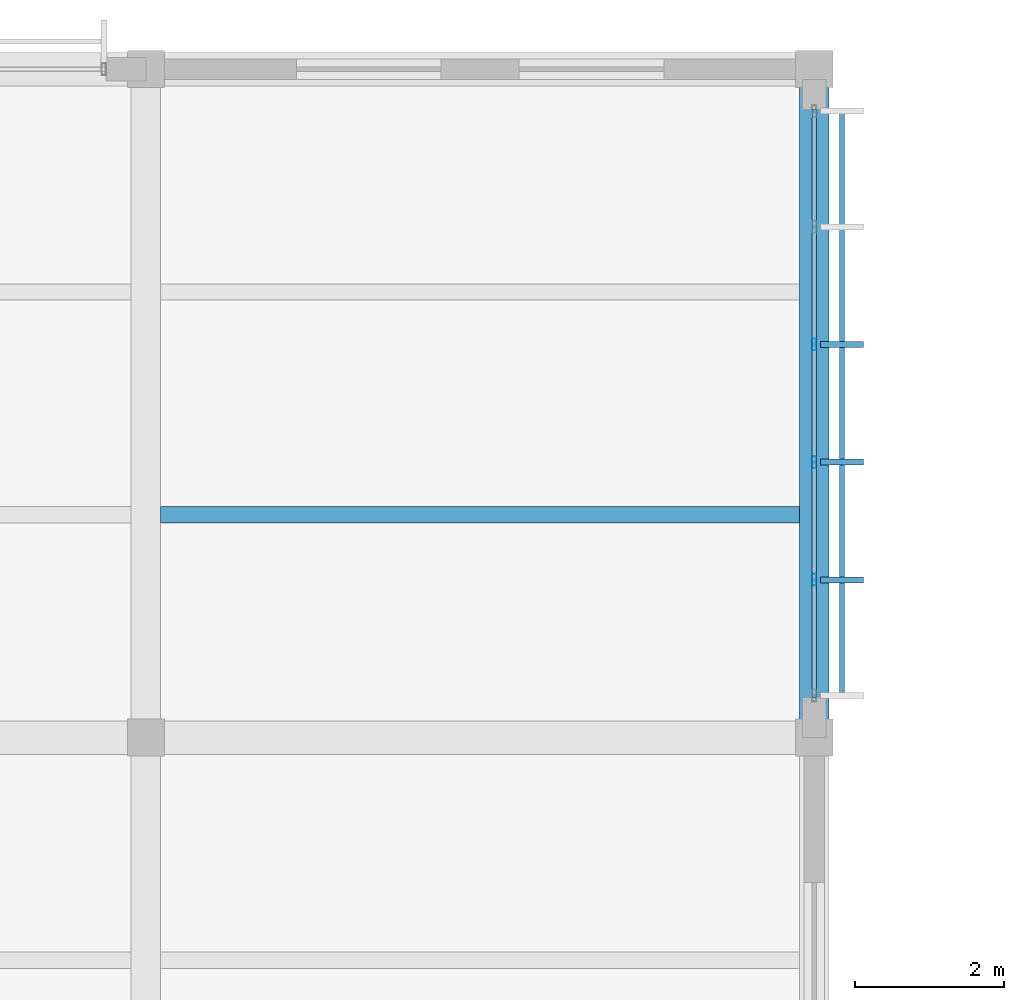
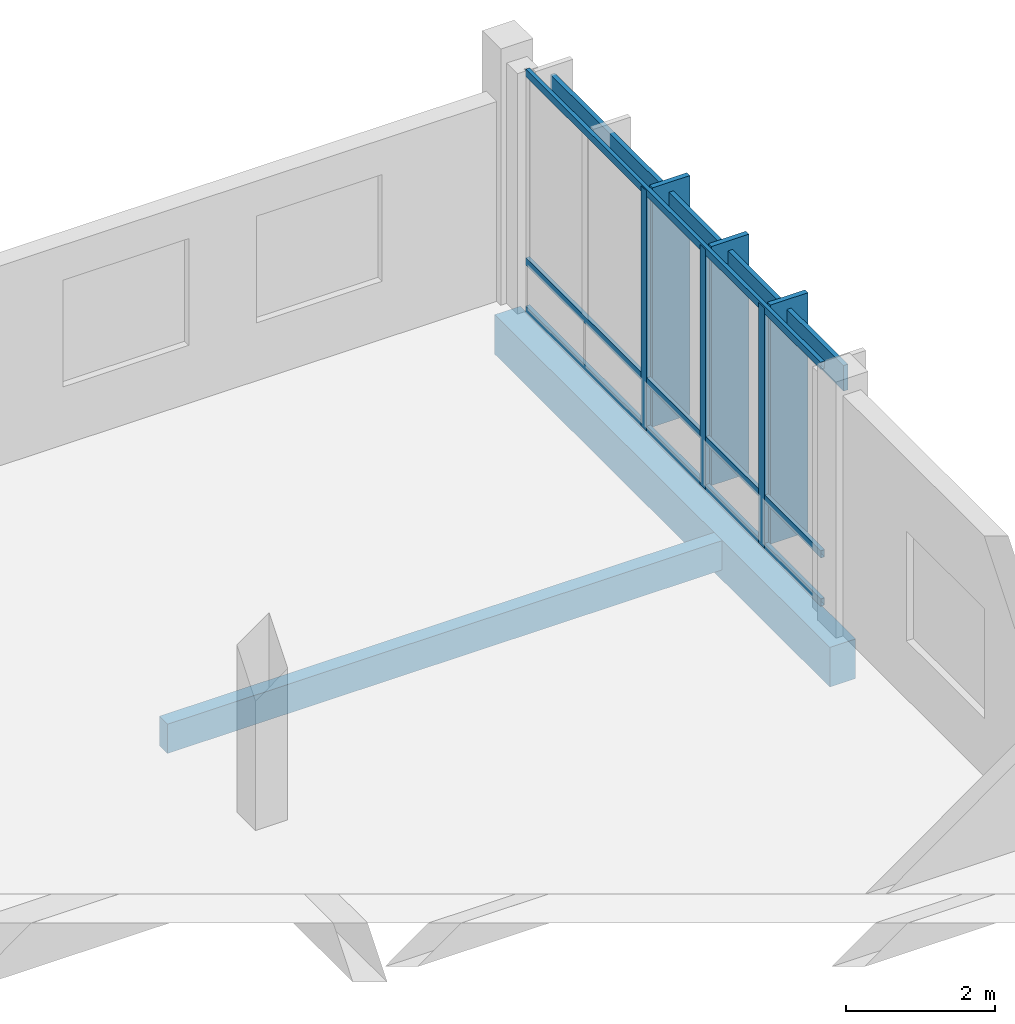
# One storey, part 124 of 182: 10 members, 2 beams, 1 element without a shape of its own.
"""IFC4 building model written with IfcOpenShell, lengths in metres."""

import ifcopenshell
import ifcopenshell.guid

model = None  # the IFC model being written
_history = None  # IfcOwnerHistory: only IFC2X3 demands one
_inside = {}  # id of a spatial element -> (the spatial element, [elements in it])
_under = {}  # id of a project, library or spatial element -> (it, [spatial elements below it])
_declared = {}  # id of a project -> (the project, [libraries it declares])
_typed = {}  # id of a type object -> (the type object, [elements of that type])
_made_of = {}  # id of a material, layer set ... -> (it, [elements and type objects made of it])


def new_model(schema):
    """Start an empty IFC model of exactly this schema.

    Asked for "IFC4X3", IfcOpenShell would pick the latest addendum, in which some entities
    have other attributes; the version numbers below select the first issue.
    IFC2X3 requires an IfcOwnerHistory on every rooted entity: one is made here for all.
    """
    global model, _history
    if schema == "IFC4X3":
        model = ifcopenshell.file(schema_version=(4, 3, 0, 0))
    else:
        model = ifcopenshell.file(schema=schema)
    _inside.clear()
    _under.clear()
    _declared.clear()
    _typed.clear()
    _made_of.clear()
    _history = None
    if model.schema == "IFC2X3":
        org = make("IfcOrganization", Name="unknown")
        user = make(
            "IfcPersonAndOrganization",
            ThePerson=make("IfcPerson", FamilyName="unknown"),
            TheOrganization=org,
        )
        app = make(
            "IfcApplication",
            ApplicationDeveloper=org,
            Version="unknown",
            ApplicationFullName="unknown",
            ApplicationIdentifier="unknown",
        )
        _history = make(
            "IfcOwnerHistory",
            OwningUser=user,
            OwningApplication=app,
            ChangeAction="ADDED",
            CreationDate=0,
        )
    return model


def make(cls, **values):
    """One entity of the class cls with the attributes given. An attribute that is None is left unset."""
    return model.create_entity(
        cls, **{name: value for name, value in values.items() if value is not None}
    )


def rooted(cls, **values):
    """An entity with a GlobalId (a new one), such as an element, a storey or a relation."""
    return make(cls, GlobalId=ifcopenshell.guid.new(), OwnerHistory=_history, **values)


def si_unit(unit_type, name, prefix=None):
    """IfcSIUnit, for example si_unit("LENGTHUNIT", "METRE", prefix="MILLI")."""
    return make("IfcSIUnit", UnitType=unit_type, Prefix=prefix, Name=name)


def assignment(units):
    """IfcUnitAssignment: the units of a project."""
    return None if units is None else make("IfcUnitAssignment", Units=units)


def point(xyz):
    """IfcCartesianPoint."""
    return None if xyz is None else make("IfcCartesianPoint", Coordinates=xyz)


def direction(xyz):
    """IfcDirection."""
    return None if xyz is None else make("IfcDirection", DirectionRatios=xyz)


def frame(location, z_axis=None, x_axis=None):
    """IfcAxis2Placement3D, a coordinate frame: its origin and axes. An axis left out is left unset."""
    return make(
        "IfcAxis2Placement3D",
        Location=point(location),
        Axis=direction(z_axis),
        RefDirection=direction(x_axis),
    )


def frame_2d(location, x_axis=None):
    """IfcAxis2Placement2D, a coordinate frame in the plane: its origin and x axis."""
    return make(
        "IfcAxis2Placement2D", Location=point(location), RefDirection=direction(x_axis)
    )


def origin():
    """The frame at (0, 0, 0) with its axes left unset."""
    return frame((0.0, 0.0, 0.0))


def origin_2d():
    """The frame at (0, 0) in the plane with its x axis left unset."""
    return frame_2d((0.0, 0.0))


def place(relative_to, where):
    """IfcLocalPlacement: puts the frame where relative to a parent placement (None: the world)."""
    return make(
        "IfcLocalPlacement", PlacementRelTo=relative_to, RelativePlacement=where
    )


def context(
    kind, dimensions, precision=None, world=None, true_north=None, identifier=None
):
    """IfcGeometricRepresentationContext, for example the 3D "Model" context."""
    return make(
        "IfcGeometricRepresentationContext",
        ContextIdentifier=identifier,
        ContextType=kind,
        CoordinateSpaceDimension=dimensions,
        Precision=precision,
        WorldCoordinateSystem=world,
        TrueNorth=true_north,
    )


def subcontext(parent, identifier, kind, view, scale=None):
    """IfcGeometricRepresentationSubContext, for example "Body" below "Model"."""
    return make(
        "IfcGeometricRepresentationSubContext",
        ContextIdentifier=identifier,
        ContextType=kind,
        ParentContext=parent,
        TargetScale=scale,
        TargetView=view,
    )


def project(units=None, contexts=None):
    """IfcProject with its units and contexts."""
    return rooted(
        "IfcProject",
        Name="project",
        RepresentationContexts=contexts,
        UnitsInContext=assignment(units),
    )


def spatial(cls, under=None, at=None, **own):
    """A site, building, storey or space (cls), placed at a placement, below another one or the project."""
    s = rooted(cls, ObjectPlacement=at, **own)
    if under is not None:
        _under.setdefault(under.id(), (under, []))[1].append(s)
    return s


def profile(cls, at=None, kind="AREA", **sizes):
    """A parametric profile (cls). Its sizes go by their IFC names, for example OverallWidth=200.0."""
    return make(cls, ProfileType=kind, Position=at, **sizes)


def rectangle(**sizes):
    """IfcRectangleProfileDef."""
    return profile("IfcRectangleProfileDef", **sizes)


def hollow_rectangle(**sizes):
    """IfcRectangleHollowProfileDef."""
    return profile("IfcRectangleHollowProfileDef", **sizes)


def extrude(swept, where, along, depth):
    """IfcExtrudedAreaSolid: the profile swept, set in the frame where, extruded along a direction by depth."""
    return make(
        "IfcExtrudedAreaSolid",
        SweptArea=swept,
        Position=where,
        ExtrudedDirection=direction(along),
        Depth=depth,
    )


def shape(context_of_items, identifier, shape_type, items):
    """IfcShapeRepresentation: the items that make up one representation, for example the "Body"."""
    return make(
        "IfcShapeRepresentation",
        ContextOfItems=context_of_items,
        RepresentationIdentifier=identifier,
        RepresentationType=shape_type,
        Items=items,
    )


def material(Name=None, Category=None):
    """IfcMaterial."""
    return make("IfcMaterial", Name=Name, Category=Category)


def material_profile(
    of_material, cross_section, Name=None, Category=None, Priority=None
):
    """IfcMaterialProfile: a cross section and its material."""
    return make(
        "IfcMaterialProfile",
        Name=Name,
        Material=of_material,
        Profile=cross_section,
        Priority=Priority,
        Category=Category,
    )


def profile_set(profiles, Name=None, composite=None):
    """IfcMaterialProfileSet."""
    return make(
        "IfcMaterialProfileSet",
        Name=Name,
        MaterialProfiles=profiles,
        CompositeProfile=composite,
    )


def made_of(thing, what):
    """Note that an element or type object is made of a material, layer set ...; save() writes the relation."""
    if what is not None:
        _made_of.setdefault(what.id(), (what, []))[1].append(thing)
    return thing


def type_object(cls, material=None, **own):
    """A type object (cls), such as IfcWallType, which elements share."""
    return made_of(rooted(cls, **own), material)


def element(
    cls,
    number,
    at=None,
    inside=None,
    cuts=None,
    type_object=None,
    material=None,
    context=None,
    identifier="Body",
    shape_type=None,
    held_by="IfcProductDefinitionShape",
    body=None,
    shapes=None,
    **own,
):
    """One element of the class cls, such as IfcWall. Its Tag is "e" and its number.

    at: its placement. inside: the storey or other place that contains it. cuts: it is an
    opening in that element (IfcRelVoidsElement). A single representation is given by context,
    identifier, shape_type and body (its items); several are given by shapes. held_by: the class
    of the entity that holds the representations. save() writes the other relations.
    """
    e = rooted(cls, Tag="e%d" % number, ObjectPlacement=at, **own)
    if body is not None:
        shapes = [shape(context, identifier, shape_type, body)]
    if shapes is not None:
        e.Representation = make(held_by, Representations=shapes)
    if inside is not None:
        _inside.setdefault(inside.id(), (inside, []))[1].append(e)
    if cuts is not None:
        rooted(
            "IfcRelVoidsElement", RelatingBuildingElement=cuts, RelatedOpeningElement=e
        )
    if type_object is not None:
        _typed.setdefault(type_object.id(), (type_object, []))[1].append(e)
    return made_of(e, material)


def aggregate(whole, parts):
    """IfcRelAggregates: a whole, such as a stair, and the parts it consists of."""
    return rooted("IfcRelAggregates", RelatingObject=whole, RelatedObjects=parts)


def save(model, path):
    """Write the relations noted so far, then the file.

    IfcRelAggregates (storeys below a building ...), IfcRelContainedInSpatialStructure (elements
    in a storey), IfcRelDefinesByType, IfcRelAssociatesMaterial and IfcRelDeclares: one each for
    every whole, place, type object, material and project.
    """
    for whole, parts in _under.values():
        aggregate(whole, parts)
    for where, things in _inside.values():
        rooted(
            "IfcRelContainedInSpatialStructure",
            RelatedElements=things,
            RelatingStructure=where,
        )
    for kind, things in _typed.values():
        rooted("IfcRelDefinesByType", RelatedObjects=things, RelatingType=kind)
    for what, things in _made_of.values():
        rooted("IfcRelAssociatesMaterial", RelatedObjects=things, RelatingMaterial=what)
    for by, libraries in _declared.values():
        rooted("IfcRelDeclares", RelatingContext=by, RelatedDefinitions=libraries)
    model.write(path)


model = new_model("IFC4")

# Units and contexts
model_context = context("Model", 3, precision=1e-05, world=origin(), true_north=direction((0.0, 1.0)))
body_context = subcontext(model_context, "Body", "Model", "MODEL_VIEW")
ifc_project = project(units=[si_unit("LENGTHUNIT", "METRE"), si_unit("AREAUNIT", "SQUARE_METRE"), si_unit("VOLUMEUNIT", "CUBIC_METRE"), si_unit("PLANEANGLEUNIT", "RADIAN"), si_unit("MASSUNIT", "GRAM", prefix="KILO")], contexts=[model_context])

# Site, building, storey
site_placement = place(None, origin())
site = spatial("IfcSite", under=ifc_project, at=site_placement, CompositionType="ELEMENT")
building_placement = place(site_placement, origin())
building = spatial("IfcBuilding", under=site, at=building_placement, Name="Chiffa Square Polytechnic", CompositionType="ELEMENT")
storey_placement = place(building_placement, frame((0.0, 0.0, 9.60009765625)))
storey = spatial("IfcBuildingStorey", under=building, at=storey_placement, Name="L02", CompositionType="ELEMENT", Elevation=9.60009765625)

# Beam
ifc_material_1 = material(Name="Concrete C35/45", Category="concrete")
ifc_material_profile_1 = material_profile(ifc_material_1, rectangle(XDim=0.39990234375, YDim=0.64990234375, at=origin_2d()), Name="RC 400x650")
ifc_profile_set_1 = profile_set([ifc_material_profile_1], Name="Concrete C35/45")
beam_type_1 = type_object("IfcBeamType", Name="BM-RC-400X650", PredefinedType="BEAM", material=ifc_profile_set_1)
beam_1_placement = place(storey_placement, frame((148.199951171875, 121.800048828125, -0.64501953125), z_axis=(0.0, 1.0, 0.0), x_axis=(-1.0, 0.0, 0.0)))
element("IfcBeam", 1, at=beam_1_placement, inside=storey, type_object=beam_type_1, Name="Primary floor girder BM-V5-L02-Y-1482-1218", PredefinedType="BEAM", context=body_context, shape_type="SweptSolid", body=[
    extrude(rectangle(XDim=0.39990234375, YDim=0.64990234375, at=origin_2d()), origin(), (0.0, 0.0, 1.0), 9.0),
])

# Curtain wall, members
ifc_material_2 = material(Name="Aluminium EN AW-6060 T66 and glulam shading", Category="wood")
curtain_wall_type = type_object("IfcCurtainWallType", Name="CW-VERT-450X440", PredefinedType="USERDEFINED", material=ifc_material_2)
curtain_wall_placement = place(storey_placement, origin())
curtain_wall = element("IfcCurtainWall", 2, at=curtain_wall_placement, inside=storey, type_object=curtain_wall_type, Name="Curtain wall CW-V5-L02-216", ObjectType="CURTAIN WALL", PredefinedType="USERDEFINED")
ifc_material_3 = material(Name="Aluminium EN AW-6060 T66", Category="aluminium")
ifc_material_profile_2 = material_profile(ifc_material_3, hollow_rectangle(XDim=0.06005859375, YDim=0.159912109375, WallThickness=0.00390625, at=origin_2d()), Name="ALU 60x160x4")
ifc_profile_set_2 = profile_set([ifc_material_profile_2], Name="Aluminium EN AW-6060 T66")
member_type_1 = type_object("IfcMemberType", Name="CWM-ALU-65X150", PredefinedType="MULLION", material=ifc_profile_set_2)
member_1_placement = place(storey_placement, frame((148.199951171875, 123.924072265625, 0.0), z_axis=(0.0, 0.0, 1.0), x_axis=(1.0, 0.0, 0.0)))
member_1 = element("IfcMember", 3, at=member_1_placement, type_object=member_type_1, Name="Curtain wall mullion CW-V5-L02-216-M01", PredefinedType="MULLION", context=body_context, shape_type="SweptSolid", body=[
    extrude(hollow_rectangle(XDim=0.06005859375, YDim=0.159912109375, WallThickness=0.00390625, at=origin_2d()), origin(), (0.0, 0.0, 1.0), 3.93994140625),
])
member_2_placement = place(storey_placement, frame((148.199951171875, 125.508056640625, 0.0), z_axis=(0.0, 0.0, 1.0), x_axis=(1.0, 0.0, 0.0)))
member_2 = element("IfcMember", 4, at=member_2_placement, type_object=member_type_1, Name="Curtain wall mullion CW-V5-L02-216-M02", PredefinedType="MULLION", context=body_context, shape_type="SweptSolid", body=[
    extrude(hollow_rectangle(XDim=0.06005859375, YDim=0.159912109375, WallThickness=0.00390625, at=origin_2d()), origin(), (0.0, 0.0, 1.0), 3.93994140625),
])
member_3_placement = place(storey_placement, frame((148.199951171875, 127.092041015625, 0.0), z_axis=(0.0, 0.0, 1.0), x_axis=(1.0, 0.0, 0.0)))
member_3 = element("IfcMember", 5, at=member_3_placement, type_object=member_type_1, Name="Curtain wall mullion CW-V5-L02-216-M03", PredefinedType="MULLION", context=body_context, shape_type="SweptSolid", body=[
    extrude(hollow_rectangle(XDim=0.06005859375, YDim=0.159912109375, WallThickness=0.00390625, at=origin_2d()), origin(), (0.0, 0.0, 1.0), 3.93994140625),
])
ifc_material_4 = material(Name="Glulam GL28h", Category="wood")
ifc_material_profile_3 = material_profile(ifc_material_4, rectangle(XDim=0.080078125, YDim=0.580078125, at=origin_2d()), Name="GL28h 80x580")
ifc_profile_set_3 = profile_set([ifc_material_profile_3], Name="Glulam GL28h")
member_type_2 = type_object("IfcMemberType", Name="CWM-GL-80X580", PredefinedType="MULLION", material=ifc_profile_set_3)
member_4_placement = place(storey_placement, frame((148.572021484375, 123.924072265625, 0.010009765625), z_axis=(0.0, 0.0, 1.0), x_axis=(0.0, 1.0, 0.0)))
member_4 = element("IfcMember", 6, at=member_4_placement, type_object=member_type_2, Name="Exterior glulam solar fin CW-V5-L02-216-FN01", PredefinedType="MULLION", context=body_context, shape_type="SweptSolid", body=[
    extrude(rectangle(XDim=0.080078125, YDim=0.580078125, at=origin_2d()), origin(), (0.0, 0.0, 1.0), 3.919921875),
])
member_5_placement = place(storey_placement, frame((148.572021484375, 125.508056640625, 0.010009765625), z_axis=(0.0, 0.0, 1.0), x_axis=(0.0, 1.0, 0.0)))
member_5 = element("IfcMember", 7, at=member_5_placement, type_object=member_type_2, Name="Exterior glulam solar fin CW-V5-L02-216-FN02", PredefinedType="MULLION", context=body_context, shape_type="SweptSolid", body=[
    extrude(rectangle(XDim=0.080078125, YDim=0.580078125, at=origin_2d()), origin(), (0.0, 0.0, 1.0), 3.919921875),
])
member_6_placement = place(storey_placement, frame((148.572021484375, 127.092041015625, 0.010009765625), z_axis=(0.0, 0.0, 1.0), x_axis=(0.0, 1.0, 0.0)))
member_6 = element("IfcMember", 8, at=member_6_placement, type_object=member_type_2, Name="Exterior glulam solar fin CW-V5-L02-216-FN03", PredefinedType="MULLION", context=body_context, shape_type="SweptSolid", body=[
    extrude(rectangle(XDim=0.080078125, YDim=0.580078125, at=origin_2d()), origin(), (0.0, 0.0, 1.0), 3.919921875),
])
ifc_material_profile_4 = material_profile(ifc_material_3, hollow_rectangle(XDim=0.06005859375, YDim=0.1201171875, WallThickness=0.00390625, at=origin_2d()), Name="ALU 60x120x4")
ifc_profile_set_4 = profile_set([ifc_material_profile_4], Name="Aluminium EN AW-6060 T66")
member_type_3 = type_object("IfcMemberType", Name="CWT-ALU-65X120", PredefinedType="USERDEFINED", material=ifc_profile_set_4)
member_7_placement = place(storey_placement, frame((148.199951171875, 122.337890625, 0.02978515625), z_axis=(0.0, 1.0, 0.0), x_axis=(-1.0, 0.0, 0.0)))
member_7 = element("IfcMember", 9, at=member_7_placement, type_object=member_type_3, Name="Curtain wall transom CW-V5-L02-216-T01", ObjectType="TRANSOM", PredefinedType="USERDEFINED", context=body_context, shape_type="SweptSolid", body=[
    extrude(hollow_rectangle(XDim=0.06005859375, YDim=0.1201171875, WallThickness=0.00390625, at=origin_2d()), origin(), (0.0, 0.0, 1.0), 7.924072265625),
])
member_8_placement = place(storey_placement, frame((148.199951171875, 122.337890625, 0.81982421875), z_axis=(0.0, 1.0, 0.0), x_axis=(-1.0, 0.0, 0.0)))
member_8 = element("IfcMember", 10, at=member_8_placement, type_object=member_type_3, Name="Curtain wall transom CW-V5-L02-216-T02", ObjectType="TRANSOM", PredefinedType="USERDEFINED", context=body_context, shape_type="SweptSolid", body=[
    extrude(hollow_rectangle(XDim=0.06005859375, YDim=0.1201171875, WallThickness=0.00390625, at=origin_2d()), origin(), (0.0, 0.0, 1.0), 7.924072265625),
])
member_9_placement = place(storey_placement, frame((148.199951171875, 122.337890625, 3.909912109375), z_axis=(0.0, 1.0, 0.0), x_axis=(-1.0, 0.0, 0.0)))
member_9 = element("IfcMember", 11, at=member_9_placement, type_object=member_type_3, Name="Curtain wall transom CW-V5-L02-216-T03", ObjectType="TRANSOM", PredefinedType="USERDEFINED", context=body_context, shape_type="SweptSolid", body=[
    extrude(hollow_rectangle(XDim=0.06005859375, YDim=0.1201171875, WallThickness=0.00390625, at=origin_2d()), origin(), (0.0, 0.0, 1.0), 7.924072265625),
])
ifc_material_profile_5 = material_profile(ifc_material_4, rectangle(XDim=0.070068359375, YDim=0.419921875, at=origin_2d()), Name="GL28h 70x420")
ifc_profile_set_5 = profile_set([ifc_material_profile_5], Name="Glulam GL28h")
member_type_4 = type_object("IfcMemberType", Name="CWT-GL-70X420", PredefinedType="USERDEFINED", material=ifc_profile_set_5)
member_10_placement = place(storey_placement, frame((148.572021484375, 122.364990234375, 3.559814453125), z_axis=(0.0, 1.0, 0.0), x_axis=(-1.0, 0.0, 0.0)))
member_10 = element("IfcMember", 12, at=member_10_placement, type_object=member_type_4, Name="Exterior glulam brise-soleil CW-V5-L02-216-BS01", ObjectType="TRANSOM", PredefinedType="USERDEFINED", context=body_context, shape_type="SweptSolid", body=[
    extrude(rectangle(XDim=0.070068359375, YDim=0.419921875, at=origin_2d()), origin(), (0.0, 0.0, 1.0), 7.8701171875),
])
aggregate(curtain_wall, [member_1, member_4, member_2, member_5, member_3, member_6, member_7, member_8, member_9, member_10])

# Beam
ifc_material_profile_6 = material_profile(ifc_material_4, rectangle(XDim=0.219970703125, YDim=0.47998046875, at=origin_2d()), Name="GL28h 220x480")
ifc_profile_set_6 = profile_set([ifc_material_profile_6], Name="Glulam GL28h")
beam_type_2 = type_object("IfcBeamType", Name="JST-GL-220X480", PredefinedType="JOIST", material=ifc_profile_set_6)
beam_2_placement = place(storey_placement, frame((139.39794921875, 124.800048828125, -0.56005859375), z_axis=(1.0, 0.0, 0.0), x_axis=(0.0, 1.0, 0.0)))
element("IfcBeam", 13, at=beam_2_placement, inside=storey, type_object=beam_type_2, Name="Secondary floor joist JST-V5-L02-1392-1248", PredefinedType="JOIST", context=body_context, shape_type="SweptSolid", body=[
    extrude(rectangle(XDim=0.219970703125, YDim=0.47998046875, at=origin_2d()), origin(), (0.0, 0.0, 1.0), 8.60400390625),
])

save(model, "model.ifc")
